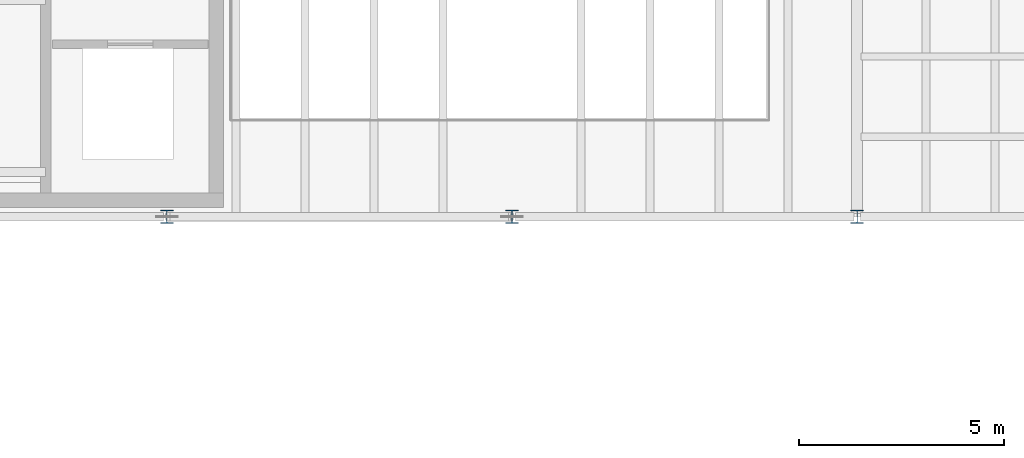
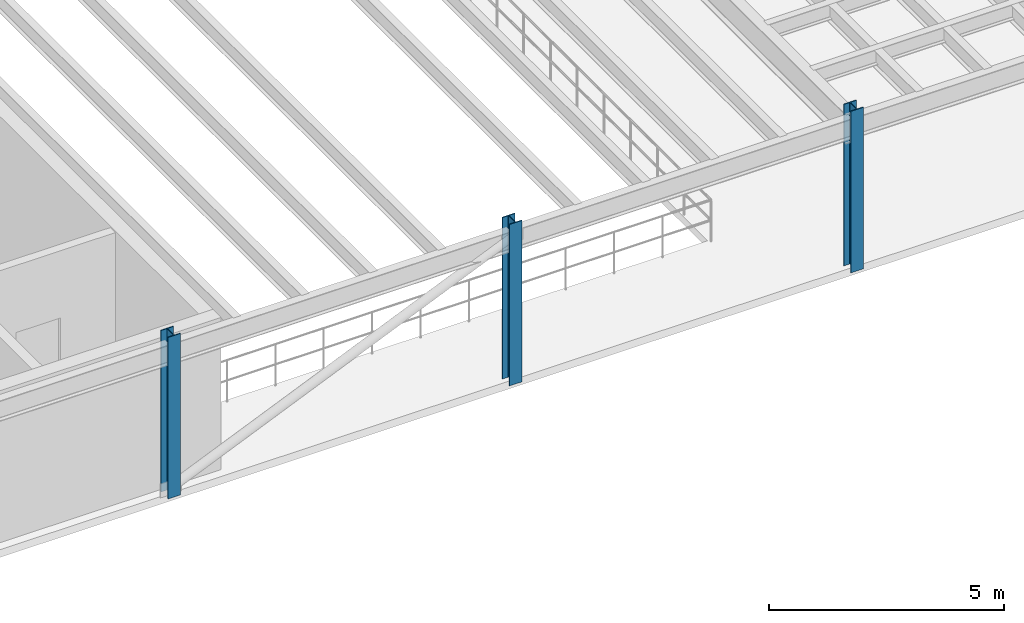
# One storey, part 2 of 26: 3 columns.
"""IFC4 building model written with IfcOpenShell, lengths in metres."""

import ifcopenshell
import ifcopenshell.guid

model = None  # the IFC model being written
_history = None  # IfcOwnerHistory: only IFC2X3 demands one
_inside = {}  # id of a spatial element -> (the spatial element, [elements in it])
_under = {}  # id of a project, library or spatial element -> (it, [spatial elements below it])
_declared = {}  # id of a project -> (the project, [libraries it declares])
_typed = {}  # id of a type object -> (the type object, [elements of that type])
_made_of = {}  # id of a material, layer set ... -> (it, [elements and type objects made of it])


def new_model(schema):
    """Start an empty IFC model of exactly this schema.

    Asked for "IFC4X3", IfcOpenShell would pick the latest addendum, in which some entities
    have other attributes; the version numbers below select the first issue.
    IFC2X3 requires an IfcOwnerHistory on every rooted entity: one is made here for all.
    """
    global model, _history
    if schema == "IFC4X3":
        model = ifcopenshell.file(schema_version=(4, 3, 0, 0))
    else:
        model = ifcopenshell.file(schema=schema)
    _inside.clear()
    _under.clear()
    _declared.clear()
    _typed.clear()
    _made_of.clear()
    _history = None
    if model.schema == "IFC2X3":
        org = make("IfcOrganization", Name="unknown")
        user = make(
            "IfcPersonAndOrganization",
            ThePerson=make("IfcPerson", FamilyName="unknown"),
            TheOrganization=org,
        )
        app = make(
            "IfcApplication",
            ApplicationDeveloper=org,
            Version="unknown",
            ApplicationFullName="unknown",
            ApplicationIdentifier="unknown",
        )
        _history = make(
            "IfcOwnerHistory",
            OwningUser=user,
            OwningApplication=app,
            ChangeAction="ADDED",
            CreationDate=0,
        )
    return model


def make(cls, **values):
    """One entity of the class cls with the attributes given. An attribute that is None is left unset."""
    return model.create_entity(
        cls, **{name: value for name, value in values.items() if value is not None}
    )


def rooted(cls, **values):
    """An entity with a GlobalId (a new one), such as an element, a storey or a relation."""
    return make(cls, GlobalId=ifcopenshell.guid.new(), OwnerHistory=_history, **values)


def si_unit(unit_type, name, prefix=None):
    """IfcSIUnit, for example si_unit("LENGTHUNIT", "METRE", prefix="MILLI")."""
    return make("IfcSIUnit", UnitType=unit_type, Prefix=prefix, Name=name)


def assignment(units):
    """IfcUnitAssignment: the units of a project."""
    return None if units is None else make("IfcUnitAssignment", Units=units)


def point(xyz):
    """IfcCartesianPoint."""
    return None if xyz is None else make("IfcCartesianPoint", Coordinates=xyz)


def direction(xyz):
    """IfcDirection."""
    return None if xyz is None else make("IfcDirection", DirectionRatios=xyz)


def frame(location, z_axis=None, x_axis=None):
    """IfcAxis2Placement3D, a coordinate frame: its origin and axes. An axis left out is left unset."""
    return make(
        "IfcAxis2Placement3D",
        Location=point(location),
        Axis=direction(z_axis),
        RefDirection=direction(x_axis),
    )


def frame_2d(location, x_axis=None):
    """IfcAxis2Placement2D, a coordinate frame in the plane: its origin and x axis."""
    return make(
        "IfcAxis2Placement2D", Location=point(location), RefDirection=direction(x_axis)
    )


def origin():
    """The frame at (0, 0, 0) with its axes left unset."""
    return frame((0.0, 0.0, 0.0))


def origin_2d():
    """The frame at (0, 0) in the plane with its x axis left unset."""
    return frame_2d((0.0, 0.0))


def place(relative_to, where):
    """IfcLocalPlacement: puts the frame where relative to a parent placement (None: the world)."""
    return make(
        "IfcLocalPlacement", PlacementRelTo=relative_to, RelativePlacement=where
    )


def context(
    kind, dimensions, precision=None, world=None, true_north=None, identifier=None
):
    """IfcGeometricRepresentationContext, for example the 3D "Model" context."""
    return make(
        "IfcGeometricRepresentationContext",
        ContextIdentifier=identifier,
        ContextType=kind,
        CoordinateSpaceDimension=dimensions,
        Precision=precision,
        WorldCoordinateSystem=world,
        TrueNorth=true_north,
    )


def subcontext(parent, identifier, kind, view, scale=None):
    """IfcGeometricRepresentationSubContext, for example "Body" below "Model"."""
    return make(
        "IfcGeometricRepresentationSubContext",
        ContextIdentifier=identifier,
        ContextType=kind,
        ParentContext=parent,
        TargetScale=scale,
        TargetView=view,
    )


def project(units=None, contexts=None):
    """IfcProject with its units and contexts."""
    return rooted(
        "IfcProject",
        Name="project",
        RepresentationContexts=contexts,
        UnitsInContext=assignment(units),
    )


def spatial(cls, under=None, at=None, **own):
    """A site, building, storey or space (cls), placed at a placement, below another one or the project."""
    s = rooted(cls, ObjectPlacement=at, **own)
    if under is not None:
        _under.setdefault(under.id(), (under, []))[1].append(s)
    return s


def profile(cls, at=None, kind="AREA", **sizes):
    """A parametric profile (cls). Its sizes go by their IFC names, for example OverallWidth=200.0."""
    return make(cls, ProfileType=kind, Position=at, **sizes)


def i_section(**sizes):
    """IfcIShapeProfileDef."""
    return profile("IfcIShapeProfileDef", **sizes)


def extrude(swept, where, along, depth):
    """IfcExtrudedAreaSolid: the profile swept, set in the frame where, extruded along a direction by depth."""
    return make(
        "IfcExtrudedAreaSolid",
        SweptArea=swept,
        Position=where,
        ExtrudedDirection=direction(along),
        Depth=depth,
    )


def shape(context_of_items, identifier, shape_type, items):
    """IfcShapeRepresentation: the items that make up one representation, for example the "Body"."""
    return make(
        "IfcShapeRepresentation",
        ContextOfItems=context_of_items,
        RepresentationIdentifier=identifier,
        RepresentationType=shape_type,
        Items=items,
    )


def material(Name=None, Category=None):
    """IfcMaterial."""
    return make("IfcMaterial", Name=Name, Category=Category)


def material_profile(
    of_material, cross_section, Name=None, Category=None, Priority=None
):
    """IfcMaterialProfile: a cross section and its material."""
    return make(
        "IfcMaterialProfile",
        Name=Name,
        Material=of_material,
        Profile=cross_section,
        Priority=Priority,
        Category=Category,
    )


def profile_set(profiles, Name=None, composite=None):
    """IfcMaterialProfileSet."""
    return make(
        "IfcMaterialProfileSet",
        Name=Name,
        MaterialProfiles=profiles,
        CompositeProfile=composite,
    )


def made_of(thing, what):
    """Note that an element or type object is made of a material, layer set ...; save() writes the relation."""
    if what is not None:
        _made_of.setdefault(what.id(), (what, []))[1].append(thing)
    return thing


def type_object(cls, material=None, **own):
    """A type object (cls), such as IfcWallType, which elements share."""
    return made_of(rooted(cls, **own), material)


def element(
    cls,
    number,
    at=None,
    inside=None,
    cuts=None,
    type_object=None,
    material=None,
    context=None,
    identifier="Body",
    shape_type=None,
    held_by="IfcProductDefinitionShape",
    body=None,
    shapes=None,
    **own,
):
    """One element of the class cls, such as IfcWall. Its Tag is "e" and its number.

    at: its placement. inside: the storey or other place that contains it. cuts: it is an
    opening in that element (IfcRelVoidsElement). A single representation is given by context,
    identifier, shape_type and body (its items); several are given by shapes. held_by: the class
    of the entity that holds the representations. save() writes the other relations.
    """
    e = rooted(cls, Tag="e%d" % number, ObjectPlacement=at, **own)
    if body is not None:
        shapes = [shape(context, identifier, shape_type, body)]
    if shapes is not None:
        e.Representation = make(held_by, Representations=shapes)
    if inside is not None:
        _inside.setdefault(inside.id(), (inside, []))[1].append(e)
    if cuts is not None:
        rooted(
            "IfcRelVoidsElement", RelatingBuildingElement=cuts, RelatedOpeningElement=e
        )
    if type_object is not None:
        _typed.setdefault(type_object.id(), (type_object, []))[1].append(e)
    return made_of(e, material)


def aggregate(whole, parts):
    """IfcRelAggregates: a whole, such as a stair, and the parts it consists of."""
    return rooted("IfcRelAggregates", RelatingObject=whole, RelatedObjects=parts)


def save(model, path):
    """Write the relations noted so far, then the file.

    IfcRelAggregates (storeys below a building ...), IfcRelContainedInSpatialStructure (elements
    in a storey), IfcRelDefinesByType, IfcRelAssociatesMaterial and IfcRelDeclares: one each for
    every whole, place, type object, material and project.
    """
    for whole, parts in _under.values():
        aggregate(whole, parts)
    for where, things in _inside.values():
        rooted(
            "IfcRelContainedInSpatialStructure",
            RelatedElements=things,
            RelatingStructure=where,
        )
    for kind, things in _typed.values():
        rooted("IfcRelDefinesByType", RelatedObjects=things, RelatingType=kind)
    for what, things in _made_of.values():
        rooted("IfcRelAssociatesMaterial", RelatedObjects=things, RelatingMaterial=what)
    for by, libraries in _declared.values():
        rooted("IfcRelDeclares", RelatingContext=by, RelatedDefinitions=libraries)
    model.write(path)


model = new_model("IFC4")

# Units and contexts
model_context = context("Model", 3, precision=1e-05, world=origin(), true_north=direction((0.0, 1.0)))
body_context = subcontext(model_context, "Body", "Model", "MODEL_VIEW")
ifc_project = project(units=[si_unit("LENGTHUNIT", "METRE"), si_unit("AREAUNIT", "SQUARE_METRE"), si_unit("VOLUMEUNIT", "CUBIC_METRE"), si_unit("PLANEANGLEUNIT", "RADIAN"), si_unit("MASSUNIT", "GRAM", prefix="KILO")], contexts=[model_context])

# Site, building, storey
site_placement = place(None, origin())
site = spatial("IfcSite", under=ifc_project, at=site_placement, CompositionType="ELEMENT")
building_placement = place(site_placement, origin())
building = spatial("IfcBuilding", under=site, at=building_placement, Name="Selat Folded Stagehouse", CompositionType="ELEMENT")
storey_placement = place(building_placement, frame((0.0, 0.0, 23.39990234375)))
storey = spatial("IfcBuildingStorey", under=building, at=storey_placement, Name="L05", CompositionType="ELEMENT", Elevation=23.39990234375)

# Columns
ifc_material = material(Name="Steel S355", Category="steel")
ifc_material_profile = material_profile(ifc_material, i_section(OverallWidth=0.30908203125, OverallDepth=0.320556640625, WebThickness=0.013916015625, FlangeThickness=0.021728515625, FilletRadius=0.01513671875, at=origin_2d()), Name="UKC 305x305x137")
ifc_profile_set = profile_set([ifc_material_profile], Name="Steel S355")
column_type = type_object("IfcColumnType", Name="COL-UKC-305x305x137", PredefinedType="COLUMN", material=ifc_profile_set)
for number, where, z_axis, x_axis, name in (
    (1, (42.0, 23.39990234375, 0.0), (0.0, 0.0, 1.0), (1.0, 0.0, 0.0), "L05 column STK-V2-11"),
    (2, (50.39990234375, 23.39990234375, 0.0), (0.0, 0.0, 1.0), (1.0, 0.0, 0.0), "L05 column STK-V2-15"),
    (3, (58.800048828125, 23.39990234375, 0.0), (0.0, 0.0, 1.0), (1.0, 0.0, 0.0), "L05 column STK-V2-18"),
):
    element("IfcColumn", number, at=place(storey_placement, frame(where, z_axis=z_axis, x_axis=x_axis)), inside=storey, type_object=column_type, Name=name, PredefinedType="COLUMN", context=body_context, shape_type="SweptSolid", body=[
        extrude(i_section(OverallWidth=0.30908203125, OverallDepth=0.320556640625, WebThickness=0.013916015625, FlangeThickness=0.021728515625, FilletRadius=0.01513671875, at=origin_2d()), origin(), (0.0, 0.0, 1.0), 4.2001953125),
    ])

save(model, "model.ifc")
